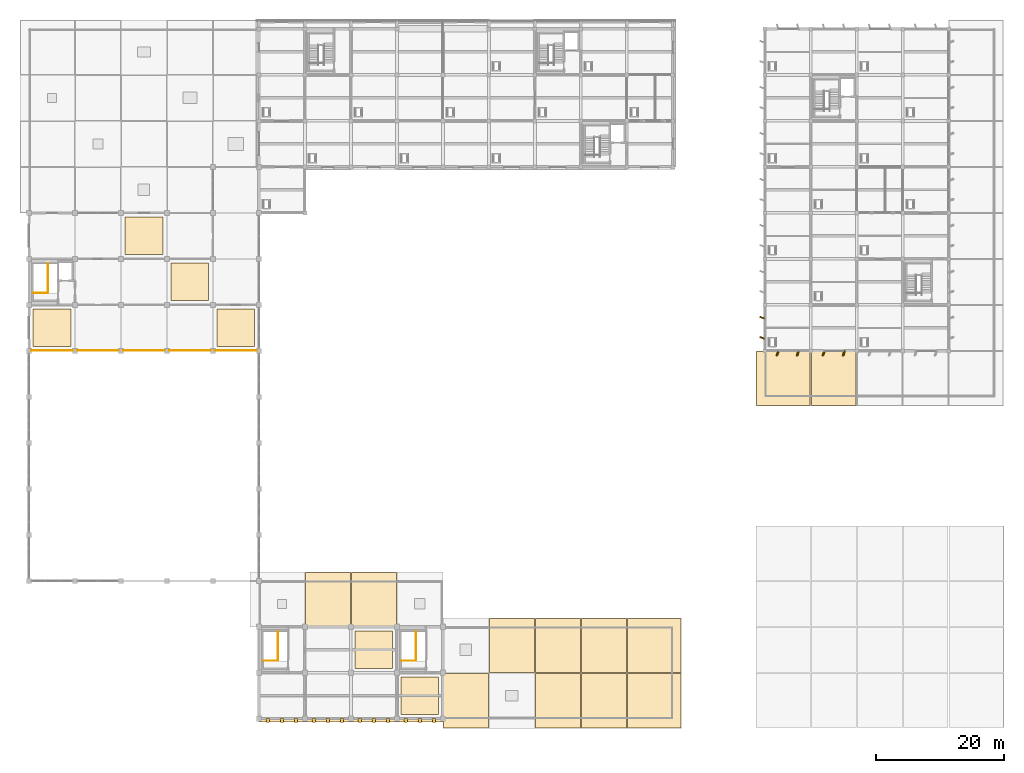
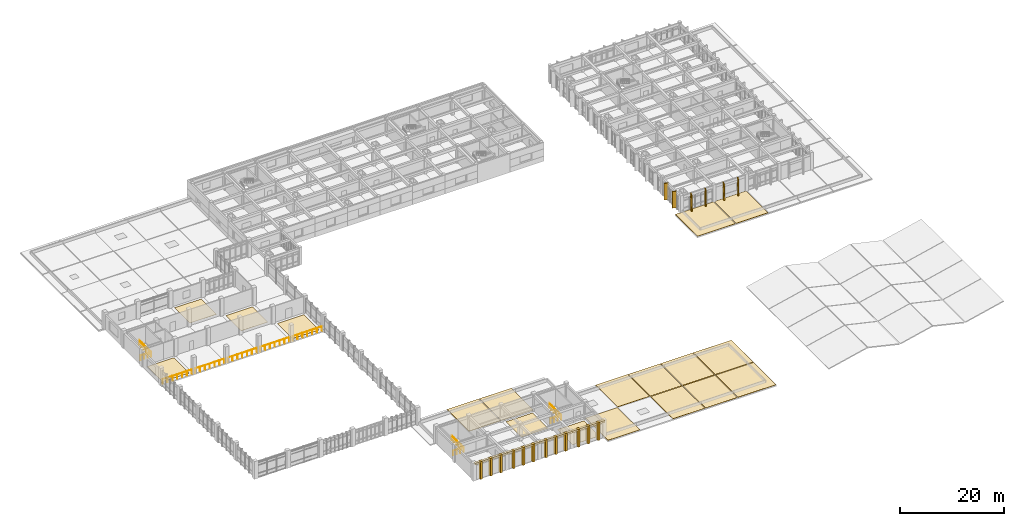
# One storey, part 59 of 62: 40 coverings, 8 railings.
"""IFC4 building model written with IfcOpenShell, lengths in metres."""

from ifc_helpers import new_model, si_unit, direction, frame, origin, origin_2d, place, context, subcontext, project, spatial, polyline, rectangle, circle, outline, extrude, material, layer, layer_set, type_object, element, save


model = new_model("IFC4")

# Units and contexts
model_context = context("Model", 3, precision=1e-05, world=origin(), true_north=direction((0.0, 1.0)))
body_context = subcontext(model_context, "Body", "Model", "MODEL_VIEW")
ifc_project = project(units=[si_unit("LENGTHUNIT", "METRE"), si_unit("AREAUNIT", "SQUARE_METRE"), si_unit("VOLUMEUNIT", "CUBIC_METRE"), si_unit("PLANEANGLEUNIT", "RADIAN"), si_unit("MASSUNIT", "GRAM", prefix="KILO")], contexts=[model_context])

# Site, building, storey
site_placement = place(None, origin())
site = spatial("IfcSite", under=ifc_project, at=site_placement, CompositionType="ELEMENT")
building_placement = place(site_placement, origin())
building = spatial("IfcBuilding", under=site, at=building_placement, Name="Kavelor Marine Aquarium", CompositionType="ELEMENT")
storey_placement = place(building_placement, frame((0.0, 0.0, 13.5)))
storey = spatial("IfcBuildingStorey", under=building, at=storey_placement, Name="L03", CompositionType="ELEMENT", Elevation=13.5)

# Coverings
ifc_material_1 = material(Name="Precast Concrete C45/55 Coastal Brise-Soleil Fin", Category="concrete")
ifc_layer_1 = layer(ifc_material_1, 0.219970703125)
ifc_layer_set_1 = layer_set([ifc_layer_1], Name="COV-CL1")
covering_type_1 = type_object("IfcCoveringType", Name="COV-CL1", PredefinedType="CLADDING", material=ifc_layer_set_1)
for number, where, z_axis, x_axis, name in (
    (1, (118.0400390625, 62.416015625, 0.0), (0.0, 0.0, 1.0), (0.951056516295, -0.309016994375, 0.0), "fin:y:L03:16_08:0"),
    (2, (118.0400390625, 65.583984375, 0.0), (0.0, 0.0, 1.0), (0.951056516295, -0.309016994375, 0.0), "fin:y:L03:16_08:1"),
):
    element("IfcCovering", number, at=place(storey_placement, frame(where, z_axis=z_axis, x_axis=x_axis)), inside=storey, type_object=covering_type_1, Name=name, PredefinedType="CLADDING", context=body_context, shape_type="SweptSolid", body=[
        extrude(rectangle(XDim=0.85009765625, YDim=0.219970703125, at=origin_2d()), origin(), (0.0, 0.0, 1.0), 3.8798828125),
    ])
for number, where, z_axis, x_axis, name in (
    (3, (120.416015625, 60.0400390625, 0.0), (0.0, 0.0, 1.0), (0.951056516295, -0.309016994375, 0.0), "fin:x:L03:16_08:0"),
    (4, (123.583984375, 60.0400390625, 0.0), (0.0, 0.0, 1.0), (0.951056516295, -0.309016994375, 0.0), "fin:x:L03:16_08:1"),
    (5, (127.615966796875, 60.0400390625, 0.0), (0.0, 0.0, 1.0), (0.951056516295, -0.309016994375, 0.0), "fin:x:L03:17_08:0"),
    (6, (130.783935546875, 60.0400390625, 0.0), (0.0, 0.0, 1.0), (0.951056516295, -0.309016994375, 0.0), "fin:x:L03:17_08:1"),
):
    element("IfcCovering", number, at=place(storey_placement, frame(where, z_axis=z_axis, x_axis=x_axis)), inside=storey, type_object=covering_type_1, Name=name, PredefinedType="CLADDING", context=body_context, shape_type="SweptSolid", body=[
        extrude(rectangle(XDim=0.219970703125, YDim=0.85009765625, at=origin_2d()), origin(), (0.0, 0.0, 1.0), 3.8798828125),
    ])
ifc_material_2 = material(Name="Polished Coastal Terrazzo Flooring")
ifc_layer_2 = layer(ifc_material_2, 0.030029296875)
ifc_layer_set_2 = layer_set([ifc_layer_2], Name="COV-FL1")
covering_type_2 = type_object("IfcCoveringType", Name="COV-FL1", PredefinedType="FLOORING", material=ifc_layer_set_2)
covering_1_placement = place(storey_placement, origin())
element("IfcCovering", 7, at=covering_1_placement, inside=storey, type_object=covering_type_2, Name="flr:L03:03_09", PredefinedType="FLOORING", context=body_context, shape_type="SweptSolid", body=[
    extrude(outline(polyline([(25.449951171875, 68.25), (31.35009765625, 68.25), (31.35009765625, 74.14990234375), (25.449951171875, 74.14990234375), (25.449951171875, 68.25)])), origin(), (0.0, 0.0, 1.0), 0.030029296875),
])
covering_2_placement = place(storey_placement, origin())
element("IfcCovering", 8, at=covering_2_placement, inside=storey, type_object=covering_type_2, Name="flr:L03:07_01", PredefinedType="FLOORING", context=body_context, shape_type="SweptSolid", body=[
    extrude(outline(polyline([(54.25, 10.64990234375), (60.14990234375, 10.64990234375), (60.14990234375, 16.550048828125), (54.25, 16.550048828125), (54.25, 10.64990234375)])), origin(), (0.0, 0.0, 1.0), 0.030029296875),
])
ifc_material_3 = material(Name="Slip-Resistant Marine Epoxy Husbandry Flooring")
ifc_layer_3 = layer(ifc_material_3, 0.02490234375)
ifc_layer_set_3 = layer_set([ifc_layer_3], Name="COV-FL2")
covering_type_3 = type_object("IfcCoveringType", Name="COV-FL2", PredefinedType="FLOORING", material=ifc_layer_set_3)
covering_3_placement = place(storey_placement, origin())
element("IfcCovering", 9, at=covering_3_placement, inside=storey, type_object=covering_type_3, Name="flr:L03:00_08", PredefinedType="FLOORING", context=body_context, shape_type="SweptSolid", body=[
    extrude(outline(polyline([(3.85009765625, 61.050048828125), (9.75, 61.050048828125), (9.75, 66.949951171875), (3.85009765625, 66.949951171875), (3.85009765625, 61.050048828125)])), origin(), (0.0, 0.0, 1.0), 0.02490234375),
])
covering_4_placement = place(storey_placement, origin())
element("IfcCovering", 10, at=covering_4_placement, inside=storey, type_object=covering_type_3, Name="flr:L03:02_10", PredefinedType="FLOORING", context=body_context, shape_type="SweptSolid", body=[
    extrude(outline(polyline([(18.25, 75.449951171875), (24.14990234375, 75.449951171875), (24.14990234375, 81.35009765625), (18.25, 81.35009765625), (18.25, 75.449951171875)])), origin(), (0.0, 0.0, 1.0), 0.02490234375),
])
covering_5_placement = place(storey_placement, origin())
element("IfcCovering", 11, at=covering_5_placement, inside=storey, type_object=covering_type_3, Name="flr:L03:04_08", PredefinedType="FLOORING", context=body_context, shape_type="SweptSolid", body=[
    extrude(outline(polyline([(32.64990234375, 61.050048828125), (38.550048828125, 61.050048828125), (38.550048828125, 66.949951171875), (32.64990234375, 66.949951171875), (32.64990234375, 61.050048828125)])), origin(), (0.0, 0.0, 1.0), 0.02490234375),
])
covering_6_placement = place(storey_placement, origin())
element("IfcCovering", 12, at=covering_6_placement, inside=storey, type_object=covering_type_3, Name="flr:L03:08_00", PredefinedType="FLOORING", context=body_context, shape_type="SweptSolid", body=[
    extrude(outline(polyline([(61.449951171875, 3.449951171875), (67.35009765625, 3.449951171875), (67.35009765625, 9.35009765625), (61.449951171875, 9.35009765625), (61.449951171875, 3.449951171875)])), origin(), (0.0, 0.0, 1.0), 0.02490234375),
])
ifc_material_4 = material(Name="Sculptural Board-Marked Concrete C45/55 Bastion Rib", Category="concrete")
ifc_layer_4 = layer(ifc_material_4, 0.360107421875)
ifc_layer_set_4 = layer_set([ifc_layer_4], Name="COV-RB1")
covering_type_4 = type_object("IfcCoveringType", Name="COV-RB1", PredefinedType="CLADDING", material=ifc_layer_set_4)
covering_7_placement = place(storey_placement, origin())
element("IfcCovering", 13, at=covering_7_placement, inside=storey, type_object=covering_type_4, Name="bastion:rib:L03:05:0", PredefinedType="CLADDING", context=body_context, shape_type="SweptSolid", body=[
    extrude(outline(polyline([(40.3798828125, 2.239990234375), (40.820068359375, 2.239990234375), (40.8798828125, 2.85009765625), (40.320068359375, 2.85009765625), (40.3798828125, 2.239990234375)])), origin(), (0.0, 0.0, 1.0), 4.139892578125),
])
covering_8_placement = place(storey_placement, origin())
element("IfcCovering", 14, at=covering_8_placement, inside=storey, type_object=covering_type_4, Name="bastion:rib:L03:05:1", PredefinedType="CLADDING", context=body_context, shape_type="SweptSolid", body=[
    extrude(outline(polyline([(42.580078125, 2.239990234375), (43.02001953125, 2.239990234375), (43.080078125, 2.85009765625), (42.52001953125, 2.85009765625), (42.580078125, 2.239990234375)])), origin(), (0.0, 0.0, 1.0), 4.139892578125),
])
covering_9_placement = place(storey_placement, origin())
element("IfcCovering", 15, at=covering_9_placement, inside=storey, type_object=covering_type_4, Name="bastion:rib:L03:05:2", PredefinedType="CLADDING", context=body_context, shape_type="SweptSolid", body=[
    extrude(outline(polyline([(44.780029296875, 2.239990234375), (45.219970703125, 2.239990234375), (45.280029296875, 2.85009765625), (44.719970703125, 2.85009765625), (44.780029296875, 2.239990234375)])), origin(), (0.0, 0.0, 1.0), 4.139892578125),
])
covering_10_placement = place(storey_placement, frame((0.0, 0.0, 3.719970703125)))
element("IfcCovering", 16, at=covering_10_placement, inside=storey, type_object=covering_type_4, Name="bastion:band:L03:05", PredefinedType="CLADDING", context=body_context, shape_type="SweptSolid", body=[
    extrude(outline(polyline([(39.199951171875, 2.320068359375), (46.39990234375, 2.320068359375), (46.39990234375, 2.85009765625), (39.199951171875, 2.85009765625), (39.199951171875, 2.320068359375)])), origin(), (0.0, 0.0, 1.0), 0.419921875),
])
covering_11_placement = place(storey_placement, origin())
element("IfcCovering", 17, at=covering_11_placement, inside=storey, type_object=covering_type_4, Name="bastion:rib:L03:06:0", PredefinedType="CLADDING", context=body_context, shape_type="SweptSolid", body=[
    extrude(outline(polyline([(47.580078125, 2.239990234375), (48.02001953125, 2.239990234375), (48.080078125, 2.85009765625), (47.52001953125, 2.85009765625), (47.580078125, 2.239990234375)])), origin(), (0.0, 0.0, 1.0), 4.139892578125),
])
covering_12_placement = place(storey_placement, origin())
element("IfcCovering", 18, at=covering_12_placement, inside=storey, type_object=covering_type_4, Name="bastion:rib:L03:06:1", PredefinedType="CLADDING", context=body_context, shape_type="SweptSolid", body=[
    extrude(outline(polyline([(49.780029296875, 2.239990234375), (50.219970703125, 2.239990234375), (50.280029296875, 2.85009765625), (49.719970703125, 2.85009765625), (49.780029296875, 2.239990234375)])), origin(), (0.0, 0.0, 1.0), 4.139892578125),
])
covering_13_placement = place(storey_placement, origin())
element("IfcCovering", 19, at=covering_13_placement, inside=storey, type_object=covering_type_4, Name="bastion:rib:L03:06:2", PredefinedType="CLADDING", context=body_context, shape_type="SweptSolid", body=[
    extrude(outline(polyline([(51.97998046875, 2.239990234375), (52.419921875, 2.239990234375), (52.47998046875, 2.85009765625), (51.919921875, 2.85009765625), (51.97998046875, 2.239990234375)])), origin(), (0.0, 0.0, 1.0), 4.139892578125),
])
covering_14_placement = place(storey_placement, frame((0.0, 0.0, 3.719970703125)))
element("IfcCovering", 20, at=covering_14_placement, inside=storey, type_object=covering_type_4, Name="bastion:band:L03:06", PredefinedType="CLADDING", context=body_context, shape_type="SweptSolid", body=[
    extrude(outline(polyline([(46.39990234375, 2.320068359375), (53.60009765625, 2.320068359375), (53.60009765625, 2.85009765625), (46.39990234375, 2.85009765625), (46.39990234375, 2.320068359375)])), origin(), (0.0, 0.0, 1.0), 0.419921875),
])
covering_15_placement = place(storey_placement, origin())
element("IfcCovering", 21, at=covering_15_placement, inside=storey, type_object=covering_type_4, Name="bastion:rib:L03:07:0", PredefinedType="CLADDING", context=body_context, shape_type="SweptSolid", body=[
    extrude(outline(polyline([(54.780029296875, 2.239990234375), (55.219970703125, 2.239990234375), (55.280029296875, 2.85009765625), (54.719970703125, 2.85009765625), (54.780029296875, 2.239990234375)])), origin(), (0.0, 0.0, 1.0), 4.139892578125),
])
covering_16_placement = place(storey_placement, origin())
element("IfcCovering", 22, at=covering_16_placement, inside=storey, type_object=covering_type_4, Name="bastion:rib:L03:07:1", PredefinedType="CLADDING", context=body_context, shape_type="SweptSolid", body=[
    extrude(outline(polyline([(56.97998046875, 2.239990234375), (57.419921875, 2.239990234375), (57.47998046875, 2.85009765625), (56.919921875, 2.85009765625), (56.97998046875, 2.239990234375)])), origin(), (0.0, 0.0, 1.0), 4.139892578125),
])
covering_17_placement = place(storey_placement, origin())
element("IfcCovering", 23, at=covering_17_placement, inside=storey, type_object=covering_type_4, Name="bastion:rib:L03:07:2", PredefinedType="CLADDING", context=body_context, shape_type="SweptSolid", body=[
    extrude(outline(polyline([(59.179931640625, 2.239990234375), (59.6201171875, 2.239990234375), (59.679931640625, 2.85009765625), (59.1201171875, 2.85009765625), (59.179931640625, 2.239990234375)])), origin(), (0.0, 0.0, 1.0), 4.139892578125),
])
covering_18_placement = place(storey_placement, frame((0.0, 0.0, 3.719970703125)))
element("IfcCovering", 24, at=covering_18_placement, inside=storey, type_object=covering_type_4, Name="bastion:band:L03:07", PredefinedType="CLADDING", context=body_context, shape_type="SweptSolid", body=[
    extrude(outline(polyline([(53.60009765625, 2.320068359375), (60.800048828125, 2.320068359375), (60.800048828125, 2.85009765625), (53.60009765625, 2.85009765625), (53.60009765625, 2.320068359375)])), origin(), (0.0, 0.0, 1.0), 0.419921875),
])
covering_19_placement = place(storey_placement, origin())
element("IfcCovering", 25, at=covering_19_placement, inside=storey, type_object=covering_type_4, Name="bastion:rib:L03:08:0", PredefinedType="CLADDING", context=body_context, shape_type="SweptSolid", body=[
    extrude(outline(polyline([(61.97998046875, 2.239990234375), (62.419921875, 2.239990234375), (62.47998046875, 2.85009765625), (61.919921875, 2.85009765625), (61.97998046875, 2.239990234375)])), origin(), (0.0, 0.0, 1.0), 4.139892578125),
])
covering_20_placement = place(storey_placement, origin())
element("IfcCovering", 26, at=covering_20_placement, inside=storey, type_object=covering_type_4, Name="bastion:rib:L03:08:1", PredefinedType="CLADDING", context=body_context, shape_type="SweptSolid", body=[
    extrude(outline(polyline([(64.179931640625, 2.239990234375), (64.6201171875, 2.239990234375), (64.679931640625, 2.85009765625), (64.1201171875, 2.85009765625), (64.179931640625, 2.239990234375)])), origin(), (0.0, 0.0, 1.0), 4.139892578125),
])
covering_21_placement = place(storey_placement, origin())
element("IfcCovering", 27, at=covering_21_placement, inside=storey, type_object=covering_type_4, Name="bastion:rib:L03:08:2", PredefinedType="CLADDING", context=body_context, shape_type="SweptSolid", body=[
    extrude(outline(polyline([(66.3798828125, 2.239990234375), (66.820068359375, 2.239990234375), (66.8798828125, 2.85009765625), (66.320068359375, 2.85009765625), (66.3798828125, 2.239990234375)])), origin(), (0.0, 0.0, 1.0), 4.139892578125),
])
covering_22_placement = place(storey_placement, frame((0.0, 0.0, 3.719970703125)))
element("IfcCovering", 28, at=covering_22_placement, inside=storey, type_object=covering_type_4, Name="bastion:band:L03:08", PredefinedType="CLADDING", context=body_context, shape_type="SweptSolid", body=[
    extrude(outline(polyline([(60.800048828125, 2.320068359375), (68.0, 2.320068359375), (68.0, 2.85009765625), (60.800048828125, 2.85009765625), (60.800048828125, 2.320068359375)])), origin(), (0.0, 0.0, 1.0), 0.419921875),
])
ifc_material_5 = material(Name="TPO Reflective Waterproof Roofing Membrane")
ifc_layer_5 = layer(ifc_material_5, 0.06005859375)
ifc_layer_set_5 = layer_set([ifc_layer_5], Name="COV-RF1")
covering_type_5 = type_object("IfcCoveringType", Name="COV-RF1", PredefinedType="ROOFING", material=ifc_layer_set_5)
covering_23_placement = place(storey_placement, origin())
element("IfcCovering", 29, at=covering_23_placement, inside=storey, type_object=covering_type_5, Name="rcov:L03:06_02", PredefinedType="ROOFING", context=body_context, shape_type="SweptSolid", body=[
    extrude(outline(polyline([(46.47998046875, 17.280029296875), (53.52001953125, 17.280029296875), (53.52001953125, 25.719970703125), (46.47998046875, 25.719970703125), (46.47998046875, 17.280029296875)])), origin(), (0.0, 0.0, 1.0), 0.06005859375),
])
covering_24_placement = place(storey_placement, origin())
element("IfcCovering", 30, at=covering_24_placement, inside=storey, type_object=covering_type_5, Name="rcov:L03:07_02", PredefinedType="ROOFING", context=body_context, shape_type="SweptSolid", body=[
    extrude(outline(polyline([(53.679931640625, 17.280029296875), (60.719970703125, 17.280029296875), (60.719970703125, 25.719970703125), (53.679931640625, 25.719970703125), (53.679931640625, 17.280029296875)])), origin(), (0.0, 0.0, 1.0), 0.06005859375),
])
covering_25_placement = place(storey_placement, origin())
element("IfcCovering", 31, at=covering_25_placement, inside=storey, type_object=covering_type_5, Name="rcov:L03:09_00", PredefinedType="ROOFING", context=body_context, shape_type="SweptSolid", body=[
    extrude(outline(polyline([(68.080078125, 1.320068359375), (75.1201171875, 1.320068359375), (75.1201171875, 9.919921875), (68.080078125, 9.919921875), (68.080078125, 1.320068359375)])), origin(), (0.0, 0.0, 1.0), 0.06005859375),
])
covering_26_placement = place(storey_placement, origin())
element("IfcCovering", 32, at=covering_26_placement, inside=storey, type_object=covering_type_5, Name="rcov:L03:10_01", PredefinedType="ROOFING", context=body_context, shape_type="SweptSolid", body=[
    extrude(outline(polyline([(75.280029296875, 10.080078125), (82.320068359375, 10.080078125), (82.320068359375, 18.52001953125), (75.280029296875, 18.52001953125), (75.280029296875, 10.080078125)])), origin(), (0.0, 0.0, 1.0), 0.06005859375),
])
covering_27_placement = place(storey_placement, origin())
element("IfcCovering", 33, at=covering_27_placement, inside=storey, type_object=covering_type_5, Name="rcov:L03:11_00", PredefinedType="ROOFING", context=body_context, shape_type="SweptSolid", body=[
    extrude(outline(polyline([(82.47998046875, 1.320068359375), (89.52001953125, 1.320068359375), (89.52001953125, 9.919921875), (82.47998046875, 9.919921875), (82.47998046875, 1.320068359375)])), origin(), (0.0, 0.0, 1.0), 0.06005859375),
])
covering_28_placement = place(storey_placement, origin())
element("IfcCovering", 34, at=covering_28_placement, inside=storey, type_object=covering_type_5, Name="rcov:L03:11_01", PredefinedType="ROOFING", context=body_context, shape_type="SweptSolid", body=[
    extrude(outline(polyline([(82.47998046875, 10.080078125), (89.52001953125, 10.080078125), (89.52001953125, 18.52001953125), (82.47998046875, 18.52001953125), (82.47998046875, 10.080078125)])), origin(), (0.0, 0.0, 1.0), 0.06005859375),
])
covering_29_placement = place(storey_placement, origin())
element("IfcCovering", 35, at=covering_29_placement, inside=storey, type_object=covering_type_5, Name="rcov:L03:12_00", PredefinedType="ROOFING", context=body_context, shape_type="SweptSolid", body=[
    extrude(outline(polyline([(89.679931640625, 1.320068359375), (96.719970703125, 1.320068359375), (96.719970703125, 9.919921875), (89.679931640625, 9.919921875), (89.679931640625, 1.320068359375)])), origin(), (0.0, 0.0, 1.0), 0.06005859375),
])
covering_30_placement = place(storey_placement, origin())
element("IfcCovering", 36, at=covering_30_placement, inside=storey, type_object=covering_type_5, Name="rcov:L03:12_01", PredefinedType="ROOFING", context=body_context, shape_type="SweptSolid", body=[
    extrude(outline(polyline([(89.679931640625, 10.080078125), (96.719970703125, 10.080078125), (96.719970703125, 18.52001953125), (89.679931640625, 18.52001953125), (89.679931640625, 10.080078125)])), origin(), (0.0, 0.0, 1.0), 0.06005859375),
])
covering_31_placement = place(storey_placement, origin())
element("IfcCovering", 37, at=covering_31_placement, inside=storey, type_object=covering_type_5, Name="rcov:L03:13_00", PredefinedType="ROOFING", context=body_context, shape_type="SweptSolid", body=[
    extrude(outline(polyline([(96.8798828125, 1.320068359375), (105.320068359375, 1.320068359375), (105.320068359375, 9.919921875), (96.8798828125, 9.919921875), (96.8798828125, 1.320068359375)])), origin(), (0.0, 0.0, 1.0), 0.06005859375),
])
covering_32_placement = place(storey_placement, origin())
element("IfcCovering", 38, at=covering_32_placement, inside=storey, type_object=covering_type_5, Name="rcov:L03:13_01", PredefinedType="ROOFING", context=body_context, shape_type="SweptSolid", body=[
    extrude(outline(polyline([(96.8798828125, 10.080078125), (105.320068359375, 10.080078125), (105.320068359375, 18.52001953125), (96.8798828125, 18.52001953125), (96.8798828125, 10.080078125)])), origin(), (0.0, 0.0, 1.0), 0.06005859375),
])
covering_33_placement = place(storey_placement, origin())
element("IfcCovering", 39, at=covering_33_placement, inside=storey, type_object=covering_type_5, Name="rcov:L03:16_07", PredefinedType="ROOFING", context=body_context, shape_type="SweptSolid", body=[
    extrude(outline(polyline([(117.080078125, 51.8798828125), (125.52001953125, 51.8798828125), (125.52001953125, 60.320068359375), (117.080078125, 60.320068359375), (117.080078125, 51.8798828125)])), origin(), (0.0, 0.0, 1.0), 0.06005859375),
])
covering_34_placement = place(storey_placement, origin())
element("IfcCovering", 40, at=covering_34_placement, inside=storey, type_object=covering_type_5, Name="rcov:L03:17_07", PredefinedType="ROOFING", context=body_context, shape_type="SweptSolid", body=[
    extrude(outline(polyline([(125.679931640625, 51.8798828125), (132.719970703125, 51.8798828125), (132.719970703125, 60.320068359375), (125.679931640625, 60.320068359375), (125.679931640625, 51.8798828125)])), origin(), (0.0, 0.0, 1.0), 0.06005859375),
])

# Railings
ifc_material_6 = material(Name="Laminated Glass and Stainless Steel Gallery Balustrade", Category="steel")
railing_type_1 = type_object("IfcRailingType", Name="RL-BL1", PredefinedType="BALUSTRADE", material=ifc_material_6)
for number, where, name in (
    (41, (3.550048828125, 60.47998046875, 0.0), "Gallery Void Balustrade BL1 (L03)"),
    (42, (10.75, 60.47998046875, 0.0), "Gallery Void Balustrade BL1 (L03)"),
    (43, (17.949951171875, 60.47998046875, 0.0), "Gallery Void Balustrade BL1 (L03)"),
    (44, (25.14990234375, 60.47998046875, 0.0), "Gallery Void Balustrade BL1 (L03)"),
    (45, (32.35009765625, 60.47998046875, 0.0), "Gallery Void Balustrade BL1 (L03)"),
):
    element("IfcRailing", number, at=place(storey_placement, frame(where)), inside=storey, type_object=railing_type_1, Name=name, PredefinedType="BALUSTRADE", context=body_context, shape_type="SweptSolid", body=[
        extrude(circle(Radius=0.02392578125, at=origin_2d()), frame((0.0, 0.0, 1.09619140625), z_axis=(1.0, 0.0, 0.0), x_axis=(0.0, 1.0, 0.0)), (0.0, 0.0, 1.0), 6.5),
        extrude(circle(Radius=0.0224609375, at=origin_2d()), origin(), (0.0, 0.0, 1.0), 1.072021484375),
        extrude(circle(Radius=0.0224609375, at=origin_2d()), frame((1.083251953125, 0.0, 0.0)), (0.0, 0.0, 1.0), 1.072021484375),
        extrude(circle(Radius=0.0224609375, at=origin_2d()), frame((2.166748046875, 0.0, 0.0)), (0.0, 0.0, 1.0), 1.072021484375),
        extrude(circle(Radius=0.0224609375, at=origin_2d()), frame((3.25, 0.0, 0.0)), (0.0, 0.0, 1.0), 1.072021484375),
        extrude(circle(Radius=0.0224609375, at=origin_2d()), frame((4.333251953125, 0.0, 0.0)), (0.0, 0.0, 1.0), 1.072021484375),
        extrude(circle(Radius=0.0224609375, at=origin_2d()), frame((5.416748046875, 0.0, 0.0)), (0.0, 0.0, 1.0), 1.072021484375),
        extrude(circle(Radius=0.0224609375, at=origin_2d()), frame((6.5, 0.0, 0.0)), (0.0, 0.0, 1.0), 1.072021484375),
    ])
ifc_material_7 = material(Name="Brushed Stainless Steel Stair Guardrail", Category="steel")
railing_type_2 = type_object("IfcRailingType", Name="RL-SG1", PredefinedType="GUARDRAIL", material=ifc_material_7)
for number, where, name in (
    (46, (3.8798828125, 69.47998046875, 0.0), "Stairwell Guardrail ST03-W"),
    (47, (39.8798828125, 11.8798828125, 0.0), "Stairwell Guardrail ST04-W"),
    (48, (61.47998046875, 11.8798828125, 0.0), "Stairwell Guardrail ST12-W"),
):
    element("IfcRailing", number, at=place(storey_placement, frame(where)), inside=storey, type_object=railing_type_2, Name=name, PredefinedType="GUARDRAIL", context=body_context, shape_type="SweptSolid", body=[
        extrude(circle(Radius=0.0224609375, at=origin_2d()), frame((0.0, 0.0, 1.09765625), z_axis=(1.0, 0.0, 0.0), x_axis=(0.0, 1.0, 0.0)), (0.0, 0.0, 1.0), 2.300048828125),
        extrude(circle(Radius=0.0224609375, at=origin_2d()), frame((2.300048828125, 0.0, 1.09765625), z_axis=(0.0, 1.0, 0.0), x_axis=(-1.0, 0.0, 0.0)), (0.0, 0.0, 1.0), 4.590087890625),
        extrude(circle(Radius=0.02099609375, at=origin_2d()), origin(), (0.0, 0.0, 1.0), 1.0751953125),
        extrude(circle(Radius=0.02099609375, at=origin_2d()), frame((0.7666015625, 0.0, 0.0)), (0.0, 0.0, 1.0), 1.0751953125),
        extrude(circle(Radius=0.02099609375, at=origin_2d()), frame((1.533447265625, 0.0, 0.0)), (0.0, 0.0, 1.0), 1.0751953125),
        extrude(circle(Radius=0.02099609375, at=origin_2d()), frame((2.300048828125, 0.0, 0.0)), (0.0, 0.0, 1.0), 1.0751953125),
        extrude(circle(Radius=0.02099609375, at=origin_2d()), frame((2.300048828125, 0.91796875, 0.0)), (0.0, 0.0, 1.0), 1.0751953125),
        extrude(circle(Radius=0.02099609375, at=origin_2d()), frame((2.300048828125, 1.8359375, 0.0)), (0.0, 0.0, 1.0), 1.0751953125),
        extrude(circle(Radius=0.02099609375, at=origin_2d()), frame((2.300048828125, 2.754150390625, 0.0)), (0.0, 0.0, 1.0), 1.0751953125),
        extrude(circle(Radius=0.02099609375, at=origin_2d()), frame((2.300048828125, 3.672119140625, 0.0)), (0.0, 0.0, 1.0), 1.0751953125),
        extrude(circle(Radius=0.02099609375, at=origin_2d()), frame((2.300048828125, 4.590087890625, 0.0)), (0.0, 0.0, 1.0), 1.0751953125),
    ])

save(model, "model.ifc")
